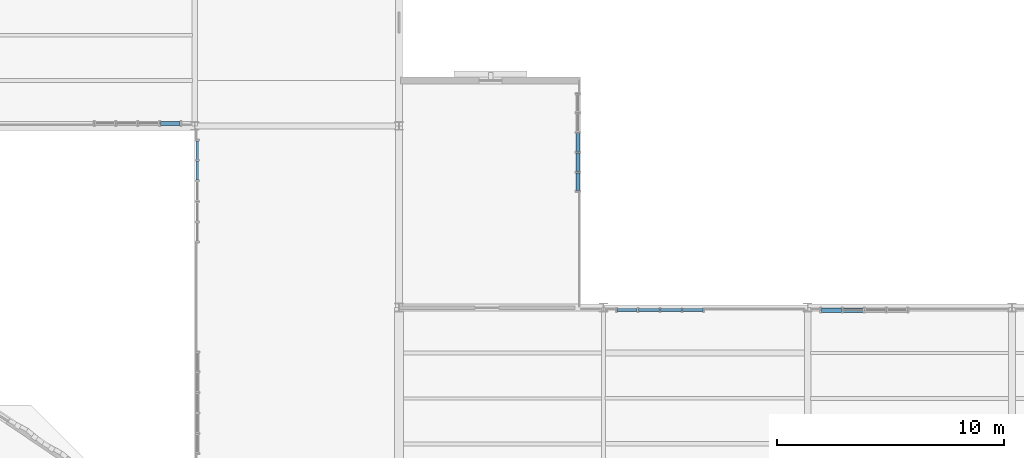
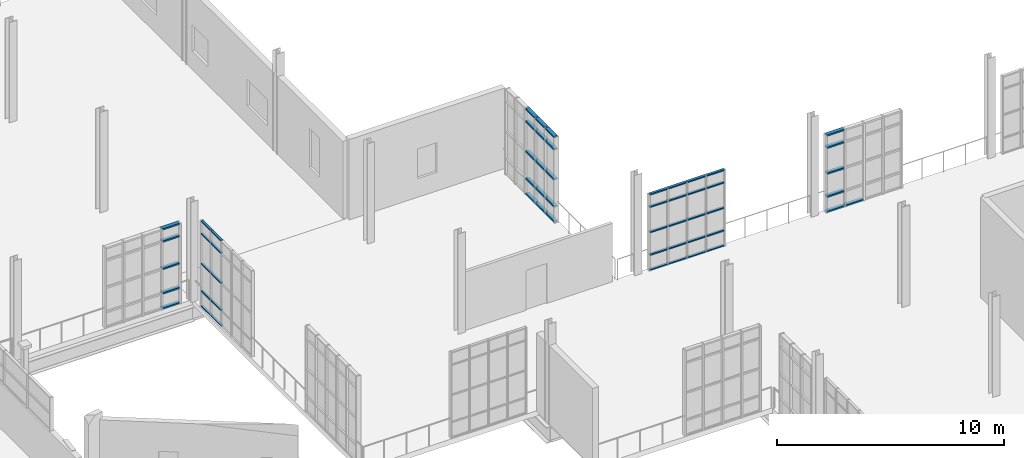
# One storey, part 93 of 142: 56 members, 5 elements without a shape of their own.
"""IFC4 building model written with IfcOpenShell, lengths in metres."""

from ifc_helpers import new_model, si_unit, direction, frame, origin, origin_2d, place, context, subcontext, project, spatial, hollow_rectangle, extrude, material, layer, layer_set, material_profile, profile_set, type_object, element, aggregate, save


model = new_model("IFC4")

# Units and contexts
model_context = context("Model", 3, precision=1e-05, world=origin(), true_north=direction((0.0, 1.0)))
body_context = subcontext(model_context, "Body", "Model", "MODEL_VIEW")
ifc_project = project(units=[si_unit("LENGTHUNIT", "METRE"), si_unit("AREAUNIT", "SQUARE_METRE"), si_unit("VOLUMEUNIT", "CUBIC_METRE"), si_unit("PLANEANGLEUNIT", "RADIAN"), si_unit("MASSUNIT", "GRAM", prefix="KILO"), si_unit("THERMODYNAMICTEMPERATUREUNIT", "KELVIN"), si_unit("POWERUNIT", "WATT")], contexts=[model_context])

# Site, building, storey
site_placement = place(None, origin())
site = spatial("IfcSite", under=ifc_project, at=site_placement, CompositionType="ELEMENT")
building_placement = place(site_placement, origin())
building = spatial("IfcBuilding", under=site, at=building_placement, Name="Zelmaris Science Centre", CompositionType="ELEMENT")
storey_placement = place(building_placement, frame((0.0, 0.0, 5.39990234375)))
storey = spatial("IfcBuildingStorey", under=building, at=storey_placement, Name="L01", CompositionType="ELEMENT", Elevation=5.39990234375)

# Curtain wall, members
ifc_material = material(Name="Anodised architectural aluminium 6063-T6", Category="aluminium")
ifc_layer_1 = layer(ifc_material, 0.219970703125, Name="Anodised architectural aluminium 6063-T6")
ifc_layer_set_1 = layer_set([ifc_layer_1], Name="Anodised architectural aluminium 6063-T6")
curtain_wall_type_1 = type_object("IfcCurtainWallType", Name="Curtain Wall CW-04", PredefinedType="USERDEFINED", material=ifc_layer_set_1)
curtain_wall_1_placement = place(storey_placement, origin())
curtain_wall_1 = element("IfcCurtainWall", 1, at=curtain_wall_1_placement, inside=storey, type_object=curtain_wall_type_1, Name="L01 Unitised curtain wall 188", ObjectType="GLAZED CURTAIN WALL", PredefinedType="USERDEFINED")
ifc_material_profile_1 = material_profile(ifc_material, hollow_rectangle(XDim=0.06005859375, YDim=0.110107421875, WallThickness=0.0029296875, at=origin_2d()), Name="ALU-TRN-60X110")
ifc_profile_set_1 = profile_set([ifc_material_profile_1], Name="Anodised architectural aluminium 6063-T6")
member_type_1 = type_object("IfcMemberType", Name="ALU-TRN-60X110", PredefinedType="USERDEFINED", material=ifc_profile_set_1)
member_1_placement = place(storey_placement, frame((99.1201171875, 61.610107421875, 0.010986328125), z_axis=(0.0, 1.0, 0.0), x_axis=(0.0, 0.0, 1.0)))
member_1 = element("IfcMember", 2, at=member_1_placement, type_object=member_type_1, Name="CW-04 transom 4.1", ObjectType="TRANSOM", PredefinedType="USERDEFINED", context=body_context, shape_type="SweptSolid", body=[
    extrude(hollow_rectangle(XDim=0.06005859375, YDim=0.110107421875, WallThickness=0.0029296875, at=origin_2d()), origin(), (0.0, 0.0, 1.0), 0.85595703125),
])
member_2_placement = place(storey_placement, frame((99.1201171875, 61.610107421875, 0.835205078125), z_axis=(0.0, 1.0, 0.0), x_axis=(0.0, 0.0, 1.0)))
member_2 = element("IfcMember", 3, at=member_2_placement, type_object=member_type_1, Name="CW-04 transom 4.2", ObjectType="TRANSOM", PredefinedType="USERDEFINED", context=body_context, shape_type="SweptSolid", body=[
    extrude(hollow_rectangle(XDim=0.06005859375, YDim=0.110107421875, WallThickness=0.0029296875, at=origin_2d()), origin(), (0.0, 0.0, 1.0), 0.85595703125),
])
member_3_placement = place(storey_placement, frame((99.1201171875, 61.610107421875, 2.302490234375), z_axis=(0.0, 1.0, 0.0), x_axis=(0.0, 0.0, 1.0)))
member_3 = element("IfcMember", 4, at=member_3_placement, type_object=member_type_1, Name="CW-04 transom 4.3", ObjectType="TRANSOM", PredefinedType="USERDEFINED", context=body_context, shape_type="SweptSolid", body=[
    extrude(hollow_rectangle(XDim=0.06005859375, YDim=0.110107421875, WallThickness=0.0029296875, at=origin_2d()), origin(), (0.0, 0.0, 1.0), 0.85595703125),
])
member_4_placement = place(storey_placement, frame((99.1201171875, 61.610107421875, 3.920166015625), z_axis=(0.0, 1.0, 0.0), x_axis=(0.0, 0.0, 1.0)))
member_4 = element("IfcMember", 5, at=member_4_placement, type_object=member_type_1, Name="CW-04 transom 4.4", ObjectType="TRANSOM", PredefinedType="USERDEFINED", context=body_context, shape_type="SweptSolid", body=[
    extrude(hollow_rectangle(XDim=0.06005859375, YDim=0.110107421875, WallThickness=0.0029296875, at=origin_2d()), origin(), (0.0, 0.0, 1.0), 0.85595703125),
])
member_5_placement = place(storey_placement, frame((99.1201171875, 61.610107421875, 4.593994140625), z_axis=(0.0, 1.0, 0.0), x_axis=(0.0, 0.0, 1.0)))
member_5 = element("IfcMember", 6, at=member_5_placement, type_object=member_type_1, Name="CW-04 transom 4.5", ObjectType="TRANSOM", PredefinedType="USERDEFINED", context=body_context, shape_type="SweptSolid", body=[
    extrude(hollow_rectangle(XDim=0.06005859375, YDim=0.110107421875, WallThickness=0.0029296875, at=origin_2d()), origin(), (0.0, 0.0, 1.0), 0.85595703125),
])
member_6_placement = place(storey_placement, frame((99.1201171875, 62.51806640625, 0.010986328125), z_axis=(0.0, 1.0, 0.0), x_axis=(0.0, 0.0, 1.0)))
member_6 = element("IfcMember", 7, at=member_6_placement, type_object=member_type_1, Name="CW-04 transom 5.1", ObjectType="TRANSOM", PredefinedType="USERDEFINED", context=body_context, shape_type="SweptSolid", body=[
    extrude(hollow_rectangle(XDim=0.06005859375, YDim=0.110107421875, WallThickness=0.0029296875, at=origin_2d()), origin(), (0.0, 0.0, 1.0), 0.829833984375),
])
member_7_placement = place(storey_placement, frame((99.1201171875, 62.51806640625, 0.835205078125), z_axis=(0.0, 1.0, 0.0), x_axis=(0.0, 0.0, 1.0)))
member_7 = element("IfcMember", 8, at=member_7_placement, type_object=member_type_1, Name="CW-04 transom 5.2", ObjectType="TRANSOM", PredefinedType="USERDEFINED", context=body_context, shape_type="SweptSolid", body=[
    extrude(hollow_rectangle(XDim=0.06005859375, YDim=0.110107421875, WallThickness=0.0029296875, at=origin_2d()), origin(), (0.0, 0.0, 1.0), 0.829833984375),
])
member_8_placement = place(storey_placement, frame((99.1201171875, 62.51806640625, 2.302490234375), z_axis=(0.0, 1.0, 0.0), x_axis=(0.0, 0.0, 1.0)))
member_8 = element("IfcMember", 9, at=member_8_placement, type_object=member_type_1, Name="CW-04 transom 5.3", ObjectType="TRANSOM", PredefinedType="USERDEFINED", context=body_context, shape_type="SweptSolid", body=[
    extrude(hollow_rectangle(XDim=0.06005859375, YDim=0.110107421875, WallThickness=0.0029296875, at=origin_2d()), origin(), (0.0, 0.0, 1.0), 0.829833984375),
])
member_9_placement = place(storey_placement, frame((99.1201171875, 62.51806640625, 3.920166015625), z_axis=(0.0, 1.0, 0.0), x_axis=(0.0, 0.0, 1.0)))
member_9 = element("IfcMember", 10, at=member_9_placement, type_object=member_type_1, Name="CW-04 transom 5.4", ObjectType="TRANSOM", PredefinedType="USERDEFINED", context=body_context, shape_type="SweptSolid", body=[
    extrude(hollow_rectangle(XDim=0.06005859375, YDim=0.110107421875, WallThickness=0.0029296875, at=origin_2d()), origin(), (0.0, 0.0, 1.0), 0.829833984375),
])
member_10_placement = place(storey_placement, frame((99.1201171875, 62.51806640625, 4.593994140625), z_axis=(0.0, 1.0, 0.0), x_axis=(0.0, 0.0, 1.0)))
member_10 = element("IfcMember", 11, at=member_10_placement, type_object=member_type_1, Name="CW-04 transom 5.5", ObjectType="TRANSOM", PredefinedType="USERDEFINED", context=body_context, shape_type="SweptSolid", body=[
    extrude(hollow_rectangle(XDim=0.06005859375, YDim=0.110107421875, WallThickness=0.0029296875, at=origin_2d()), origin(), (0.0, 0.0, 1.0), 0.829833984375),
])
aggregate(curtain_wall_1, [member_1, member_2, member_3, member_4, member_5, member_6, member_7, member_8, member_9, member_10])

ifc_layer_2 = layer(ifc_material, 0.2099609375, Name="Anodised architectural aluminium 6063-T6")
ifc_layer_set_2 = layer_set([ifc_layer_2], Name="Anodised architectural aluminium 6063-T6")
curtain_wall_type_2 = type_object("IfcCurtainWallType", Name="Curtain Wall CW-03", PredefinedType="USERDEFINED", material=ifc_layer_set_2)
curtain_wall_2_placement = place(storey_placement, origin())
curtain_wall_2 = element("IfcCurtainWall", 12, at=curtain_wall_2_placement, inside=storey, type_object=curtain_wall_type_2, Name="L01 Unitised curtain wall 143", ObjectType="GLAZED CURTAIN WALL", PredefinedType="USERDEFINED")
ifc_material_profile_2 = material_profile(ifc_material, hollow_rectangle(XDim=0.06494140625, YDim=0.1298828125, WallThickness=0.00341796875, at=origin_2d()), Name="ALU-TRN-65X130")
ifc_profile_set_2 = profile_set([ifc_material_profile_2], Name="Anodised architectural aluminium 6063-T6")
member_type_2 = type_object("IfcMemberType", Name="ALU-TRN-65X130", PredefinedType="USERDEFINED", material=ifc_profile_set_2)
member_11_placement = place(storey_placement, frame((117.596923828125, 55.892822265625, 0.013671875), z_axis=(0.999999849301, -0.000548997996, 0.0), x_axis=(0.0, 0.0, 1.0)))
member_11 = element("IfcMember", 13, at=member_11_placement, type_object=member_type_2, Name="CW-03 transom 1.1", ObjectType="TRANSOM", PredefinedType="USERDEFINED", context=body_context, shape_type="SweptSolid", body=[
    extrude(hollow_rectangle(XDim=0.06494140625, YDim=0.1298828125, WallThickness=0.00341796875, at=origin_2d()), origin(), (0.0, 0.0, 1.0), 0.889404296875),
])
member_12_placement = place(storey_placement, frame((117.596923828125, 55.892822265625, 0.835205078125), z_axis=(0.999999849301, -0.000548997996, 0.0), x_axis=(0.0, 0.0, 1.0)))
member_12 = element("IfcMember", 14, at=member_12_placement, type_object=member_type_2, Name="CW-03 transom 1.2", ObjectType="TRANSOM", PredefinedType="USERDEFINED", context=body_context, shape_type="SweptSolid", body=[
    extrude(hollow_rectangle(XDim=0.06494140625, YDim=0.1298828125, WallThickness=0.00341796875, at=origin_2d()), origin(), (0.0, 0.0, 1.0), 0.889404296875),
])
member_13_placement = place(storey_placement, frame((117.596923828125, 55.892822265625, 2.049560546875), z_axis=(0.999999849301, -0.000548997996, 0.0), x_axis=(0.0, 0.0, 1.0)))
member_13 = element("IfcMember", 15, at=member_13_placement, type_object=member_type_2, Name="CW-03 transom 1.3", ObjectType="TRANSOM", PredefinedType="USERDEFINED", context=body_context, shape_type="SweptSolid", body=[
    extrude(hollow_rectangle(XDim=0.06494140625, YDim=0.1298828125, WallThickness=0.00341796875, at=origin_2d()), origin(), (0.0, 0.0, 1.0), 0.889404296875),
])
member_14_placement = place(storey_placement, frame((117.596923828125, 55.892822265625, 3.4140625), z_axis=(0.999999849301, -0.000548997996, 0.0), x_axis=(0.0, 0.0, 1.0)))
member_14 = element("IfcMember", 16, at=member_14_placement, type_object=member_type_2, Name="CW-03 transom 1.4", ObjectType="TRANSOM", PredefinedType="USERDEFINED", context=body_context, shape_type="SweptSolid", body=[
    extrude(hollow_rectangle(XDim=0.06494140625, YDim=0.1298828125, WallThickness=0.00341796875, at=origin_2d()), origin(), (0.0, 0.0, 1.0), 0.889404296875),
])
member_15_placement = place(storey_placement, frame((117.596923828125, 55.892822265625, 4.085693359375), z_axis=(0.999999849301, -0.000548997996, 0.0), x_axis=(0.0, 0.0, 1.0)))
member_15 = element("IfcMember", 17, at=member_15_placement, type_object=member_type_2, Name="CW-03 transom 1.5", ObjectType="TRANSOM", PredefinedType="USERDEFINED", context=body_context, shape_type="SweptSolid", body=[
    extrude(hollow_rectangle(XDim=0.06494140625, YDim=0.1298828125, WallThickness=0.00341796875, at=origin_2d()), origin(), (0.0, 0.0, 1.0), 0.889404296875),
])
member_16_placement = place(storey_placement, frame((118.54345703125, 55.892333984375, 0.013671875), z_axis=(0.999999858533, -0.000531914818, 0.0), x_axis=(0.0, 0.0, 1.0)))
member_16 = element("IfcMember", 18, at=member_16_placement, type_object=member_type_2, Name="CW-03 transom 2.1", ObjectType="TRANSOM", PredefinedType="USERDEFINED", context=body_context, shape_type="SweptSolid", body=[
    extrude(hollow_rectangle(XDim=0.06494140625, YDim=0.1298828125, WallThickness=0.00341796875, at=origin_2d()), origin(), (0.0, 0.0, 1.0), 0.91796875),
])
member_17_placement = place(storey_placement, frame((118.54345703125, 55.892333984375, 0.835205078125), z_axis=(0.999999858533, -0.000531914818, 0.0), x_axis=(0.0, 0.0, 1.0)))
member_17 = element("IfcMember", 19, at=member_17_placement, type_object=member_type_2, Name="CW-03 transom 2.2", ObjectType="TRANSOM", PredefinedType="USERDEFINED", context=body_context, shape_type="SweptSolid", body=[
    extrude(hollow_rectangle(XDim=0.06494140625, YDim=0.1298828125, WallThickness=0.00341796875, at=origin_2d()), origin(), (0.0, 0.0, 1.0), 0.91796875),
])
member_18_placement = place(storey_placement, frame((118.54345703125, 55.892333984375, 2.049560546875), z_axis=(0.999999858533, -0.000531914818, 0.0), x_axis=(0.0, 0.0, 1.0)))
member_18 = element("IfcMember", 20, at=member_18_placement, type_object=member_type_2, Name="CW-03 transom 2.3", ObjectType="TRANSOM", PredefinedType="USERDEFINED", context=body_context, shape_type="SweptSolid", body=[
    extrude(hollow_rectangle(XDim=0.06494140625, YDim=0.1298828125, WallThickness=0.00341796875, at=origin_2d()), origin(), (0.0, 0.0, 1.0), 0.91796875),
])
member_19_placement = place(storey_placement, frame((118.54345703125, 55.892333984375, 3.4140625), z_axis=(0.999999858533, -0.000531914818, 0.0), x_axis=(0.0, 0.0, 1.0)))
member_19 = element("IfcMember", 21, at=member_19_placement, type_object=member_type_2, Name="CW-03 transom 2.4", ObjectType="TRANSOM", PredefinedType="USERDEFINED", context=body_context, shape_type="SweptSolid", body=[
    extrude(hollow_rectangle(XDim=0.06494140625, YDim=0.1298828125, WallThickness=0.00341796875, at=origin_2d()), origin(), (0.0, 0.0, 1.0), 0.91796875),
])
member_20_placement = place(storey_placement, frame((118.54345703125, 55.892333984375, 4.085693359375), z_axis=(0.999999858533, -0.000531914818, 0.0), x_axis=(0.0, 0.0, 1.0)))
member_20 = element("IfcMember", 22, at=member_20_placement, type_object=member_type_2, Name="CW-03 transom 2.5", ObjectType="TRANSOM", PredefinedType="USERDEFINED", context=body_context, shape_type="SweptSolid", body=[
    extrude(hollow_rectangle(XDim=0.06494140625, YDim=0.1298828125, WallThickness=0.00341796875, at=origin_2d()), origin(), (0.0, 0.0, 1.0), 0.91796875),
])
member_21_placement = place(storey_placement, frame((119.518310546875, 55.891845703125, 0.013671875), z_axis=(0.999999964633, -0.000265957437, 0.0), x_axis=(0.0, 0.0, 1.0)))
member_21 = element("IfcMember", 23, at=member_21_placement, type_object=member_type_2, Name="CW-03 transom 3.1", ObjectType="TRANSOM", PredefinedType="USERDEFINED", context=body_context, shape_type="SweptSolid", body=[
    extrude(hollow_rectangle(XDim=0.06494140625, YDim=0.1298828125, WallThickness=0.00341796875, at=origin_2d()), origin(), (0.0, 0.0, 1.0), 0.91796875),
])
member_22_placement = place(storey_placement, frame((119.518310546875, 55.891845703125, 0.835205078125), z_axis=(0.999999964633, -0.000265957437, 0.0), x_axis=(0.0, 0.0, 1.0)))
member_22 = element("IfcMember", 24, at=member_22_placement, type_object=member_type_2, Name="CW-03 transom 3.2", ObjectType="TRANSOM", PredefinedType="USERDEFINED", context=body_context, shape_type="SweptSolid", body=[
    extrude(hollow_rectangle(XDim=0.06494140625, YDim=0.1298828125, WallThickness=0.00341796875, at=origin_2d()), origin(), (0.0, 0.0, 1.0), 0.91796875),
])
member_23_placement = place(storey_placement, frame((119.518310546875, 55.891845703125, 2.049560546875), z_axis=(0.999999964633, -0.000265957437, 0.0), x_axis=(0.0, 0.0, 1.0)))
member_23 = element("IfcMember", 25, at=member_23_placement, type_object=member_type_2, Name="CW-03 transom 3.3", ObjectType="TRANSOM", PredefinedType="USERDEFINED", context=body_context, shape_type="SweptSolid", body=[
    extrude(hollow_rectangle(XDim=0.06494140625, YDim=0.1298828125, WallThickness=0.00341796875, at=origin_2d()), origin(), (0.0, 0.0, 1.0), 0.91796875),
])
member_24_placement = place(storey_placement, frame((119.518310546875, 55.891845703125, 3.4140625), z_axis=(0.999999964633, -0.000265957437, 0.0), x_axis=(0.0, 0.0, 1.0)))
member_24 = element("IfcMember", 26, at=member_24_placement, type_object=member_type_2, Name="CW-03 transom 3.4", ObjectType="TRANSOM", PredefinedType="USERDEFINED", context=body_context, shape_type="SweptSolid", body=[
    extrude(hollow_rectangle(XDim=0.06494140625, YDim=0.1298828125, WallThickness=0.00341796875, at=origin_2d()), origin(), (0.0, 0.0, 1.0), 0.91796875),
])
member_25_placement = place(storey_placement, frame((119.518310546875, 55.891845703125, 4.085693359375), z_axis=(0.999999964633, -0.000265957437, 0.0), x_axis=(0.0, 0.0, 1.0)))
member_25 = element("IfcMember", 27, at=member_25_placement, type_object=member_type_2, Name="CW-03 transom 3.5", ObjectType="TRANSOM", PredefinedType="USERDEFINED", context=body_context, shape_type="SweptSolid", body=[
    extrude(hollow_rectangle(XDim=0.06494140625, YDim=0.1298828125, WallThickness=0.00341796875, at=origin_2d()), origin(), (0.0, 0.0, 1.0), 0.91796875),
])
member_26_placement = place(storey_placement, frame((120.493408203125, 55.891357421875, 0.013671875), z_axis=(0.999999962325, -0.000274499029, 0.0), x_axis=(0.0, 0.0, 1.0)))
member_26 = element("IfcMember", 28, at=member_26_placement, type_object=member_type_2, Name="CW-03 transom 4.1", ObjectType="TRANSOM", PredefinedType="USERDEFINED", context=body_context, shape_type="SweptSolid", body=[
    extrude(hollow_rectangle(XDim=0.06494140625, YDim=0.1298828125, WallThickness=0.00341796875, at=origin_2d()), origin(), (0.0, 0.0, 1.0), 0.889404296875),
])
member_27_placement = place(storey_placement, frame((120.493408203125, 55.891357421875, 0.835205078125), z_axis=(0.999999962325, -0.000274499029, 0.0), x_axis=(0.0, 0.0, 1.0)))
member_27 = element("IfcMember", 29, at=member_27_placement, type_object=member_type_2, Name="CW-03 transom 4.2", ObjectType="TRANSOM", PredefinedType="USERDEFINED", context=body_context, shape_type="SweptSolid", body=[
    extrude(hollow_rectangle(XDim=0.06494140625, YDim=0.1298828125, WallThickness=0.00341796875, at=origin_2d()), origin(), (0.0, 0.0, 1.0), 0.889404296875),
])
member_28_placement = place(storey_placement, frame((120.493408203125, 55.891357421875, 2.049560546875), z_axis=(0.999999962325, -0.000274499029, 0.0), x_axis=(0.0, 0.0, 1.0)))
member_28 = element("IfcMember", 30, at=member_28_placement, type_object=member_type_2, Name="CW-03 transom 4.3", ObjectType="TRANSOM", PredefinedType="USERDEFINED", context=body_context, shape_type="SweptSolid", body=[
    extrude(hollow_rectangle(XDim=0.06494140625, YDim=0.1298828125, WallThickness=0.00341796875, at=origin_2d()), origin(), (0.0, 0.0, 1.0), 0.889404296875),
])
member_29_placement = place(storey_placement, frame((120.493408203125, 55.891357421875, 3.4140625), z_axis=(0.999999962325, -0.000274499029, 0.0), x_axis=(0.0, 0.0, 1.0)))
member_29 = element("IfcMember", 31, at=member_29_placement, type_object=member_type_2, Name="CW-03 transom 4.4", ObjectType="TRANSOM", PredefinedType="USERDEFINED", context=body_context, shape_type="SweptSolid", body=[
    extrude(hollow_rectangle(XDim=0.06494140625, YDim=0.1298828125, WallThickness=0.00341796875, at=origin_2d()), origin(), (0.0, 0.0, 1.0), 0.889404296875),
])
member_30_placement = place(storey_placement, frame((120.493408203125, 55.891357421875, 4.085693359375), z_axis=(0.999999962325, -0.000274499029, 0.0), x_axis=(0.0, 0.0, 1.0)))
member_30 = element("IfcMember", 32, at=member_30_placement, type_object=member_type_2, Name="CW-03 transom 4.5", ObjectType="TRANSOM", PredefinedType="USERDEFINED", context=body_context, shape_type="SweptSolid", body=[
    extrude(hollow_rectangle(XDim=0.06494140625, YDim=0.1298828125, WallThickness=0.00341796875, at=origin_2d()), origin(), (0.0, 0.0, 1.0), 0.889404296875),
])
aggregate(curtain_wall_2, [member_11, member_12, member_13, member_14, member_15, member_16, member_17, member_18, member_19, member_20, member_21, member_22, member_23, member_24, member_25, member_26, member_27, member_28, member_29, member_30])

ifc_layer_3 = layer(ifc_material, 0.18994140625, Name="Anodised architectural aluminium 6063-T6")
ifc_layer_set_3 = layer_set([ifc_layer_3], Name="Anodised architectural aluminium 6063-T6")
curtain_wall_type_3 = type_object("IfcCurtainWallType", Name="Curtain Wall CW-01", PredefinedType="USERDEFINED", material=ifc_layer_set_3)
curtain_wall_3_placement = place(storey_placement, origin())
curtain_wall_3 = element("IfcCurtainWall", 33, at=curtain_wall_3_placement, inside=storey, type_object=curtain_wall_type_3, Name="L01 Unitised curtain wall 141", ObjectType="GLAZED CURTAIN WALL", PredefinedType="USERDEFINED")
ifc_material_profile_3 = material_profile(ifc_material, hollow_rectangle(XDim=0.080078125, YDim=0.18994140625, WallThickness=0.00439453125, at=origin_2d()), Name="ALU-TRN-80X190")
ifc_profile_set_3 = profile_set([ifc_material_profile_3], Name="Anodised architectural aluminium 6063-T6")
member_type_3 = type_object("IfcMemberType", Name="ALU-TRN-80X190", PredefinedType="USERDEFINED", material=ifc_profile_set_3)
member_31_placement = place(storey_placement, frame((115.8798828125, 63.676025390625, 0.02099609375), z_axis=(0.0, -1.0, 0.0), x_axis=(0.0, 0.0, 1.0)))
member_31 = element("IfcMember", 34, at=member_31_placement, type_object=member_type_3, Name="CW-01 transom 3.1", ObjectType="TRANSOM", PredefinedType="USERDEFINED", context=body_context, shape_type="SweptSolid", body=[
    extrude(hollow_rectangle(XDim=0.080078125, YDim=0.18994140625, WallThickness=0.00439453125, at=origin_2d()), origin(), (0.0, 0.0, 1.0), 0.802001953125),
])
member_32_placement = place(storey_placement, frame((115.8798828125, 63.676025390625, 0.835205078125), z_axis=(0.0, -1.0, 0.0), x_axis=(0.0, 0.0, 1.0)))
member_32 = element("IfcMember", 35, at=member_32_placement, type_object=member_type_3, Name="CW-01 transom 3.2", ObjectType="TRANSOM", PredefinedType="USERDEFINED", context=body_context, shape_type="SweptSolid", body=[
    extrude(hollow_rectangle(XDim=0.080078125, YDim=0.18994140625, WallThickness=0.00439453125, at=origin_2d()), origin(), (0.0, 0.0, 1.0), 0.802001953125),
])
member_33_placement = place(storey_placement, frame((115.8798828125, 63.676025390625, 2.302490234375), z_axis=(0.0, -1.0, 0.0), x_axis=(0.0, 0.0, 1.0)))
member_33 = element("IfcMember", 36, at=member_33_placement, type_object=member_type_3, Name="CW-01 transom 3.3", ObjectType="TRANSOM", PredefinedType="USERDEFINED", context=body_context, shape_type="SweptSolid", body=[
    extrude(hollow_rectangle(XDim=0.080078125, YDim=0.18994140625, WallThickness=0.00439453125, at=origin_2d()), origin(), (0.0, 0.0, 1.0), 0.802001953125),
])
member_34_placement = place(storey_placement, frame((115.8798828125, 63.676025390625, 3.920166015625), z_axis=(0.0, -1.0, 0.0), x_axis=(0.0, 0.0, 1.0)))
member_34 = element("IfcMember", 37, at=member_34_placement, type_object=member_type_3, Name="CW-01 transom 3.4", ObjectType="TRANSOM", PredefinedType="USERDEFINED", context=body_context, shape_type="SweptSolid", body=[
    extrude(hollow_rectangle(XDim=0.080078125, YDim=0.18994140625, WallThickness=0.00439453125, at=origin_2d()), origin(), (0.0, 0.0, 1.0), 0.802001953125),
])
member_35_placement = place(storey_placement, frame((115.8798828125, 63.676025390625, 4.583984375), z_axis=(0.0, -1.0, 0.0), x_axis=(0.0, 0.0, 1.0)))
member_35 = element("IfcMember", 38, at=member_35_placement, type_object=member_type_3, Name="CW-01 transom 3.5", ObjectType="TRANSOM", PredefinedType="USERDEFINED", context=body_context, shape_type="SweptSolid", body=[
    extrude(hollow_rectangle(XDim=0.080078125, YDim=0.18994140625, WallThickness=0.00439453125, at=origin_2d()), origin(), (0.0, 0.0, 1.0), 0.802001953125),
])
member_36_placement = place(storey_placement, frame((115.8798828125, 62.802001953125, 0.02099609375), z_axis=(0.0, -1.0, 0.0), x_axis=(0.0, 0.0, 1.0)))
member_36 = element("IfcMember", 39, at=member_36_placement, type_object=member_type_3, Name="CW-01 transom 4.1", ObjectType="TRANSOM", PredefinedType="USERDEFINED", context=body_context, shape_type="SweptSolid", body=[
    extrude(hollow_rectangle(XDim=0.080078125, YDim=0.18994140625, WallThickness=0.00439453125, at=origin_2d()), origin(), (0.0, 0.0, 1.0), 0.802001953125),
])
member_37_placement = place(storey_placement, frame((115.8798828125, 62.802001953125, 0.835205078125), z_axis=(0.0, -1.0, 0.0), x_axis=(0.0, 0.0, 1.0)))
member_37 = element("IfcMember", 40, at=member_37_placement, type_object=member_type_3, Name="CW-01 transom 4.2", ObjectType="TRANSOM", PredefinedType="USERDEFINED", context=body_context, shape_type="SweptSolid", body=[
    extrude(hollow_rectangle(XDim=0.080078125, YDim=0.18994140625, WallThickness=0.00439453125, at=origin_2d()), origin(), (0.0, 0.0, 1.0), 0.802001953125),
])
member_38_placement = place(storey_placement, frame((115.8798828125, 62.802001953125, 2.302490234375), z_axis=(0.0, -1.0, 0.0), x_axis=(0.0, 0.0, 1.0)))
member_38 = element("IfcMember", 41, at=member_38_placement, type_object=member_type_3, Name="CW-01 transom 4.3", ObjectType="TRANSOM", PredefinedType="USERDEFINED", context=body_context, shape_type="SweptSolid", body=[
    extrude(hollow_rectangle(XDim=0.080078125, YDim=0.18994140625, WallThickness=0.00439453125, at=origin_2d()), origin(), (0.0, 0.0, 1.0), 0.802001953125),
])
member_39_placement = place(storey_placement, frame((115.8798828125, 62.802001953125, 3.920166015625), z_axis=(0.0, -1.0, 0.0), x_axis=(0.0, 0.0, 1.0)))
member_39 = element("IfcMember", 42, at=member_39_placement, type_object=member_type_3, Name="CW-01 transom 4.4", ObjectType="TRANSOM", PredefinedType="USERDEFINED", context=body_context, shape_type="SweptSolid", body=[
    extrude(hollow_rectangle(XDim=0.080078125, YDim=0.18994140625, WallThickness=0.00439453125, at=origin_2d()), origin(), (0.0, 0.0, 1.0), 0.802001953125),
])
member_40_placement = place(storey_placement, frame((115.8798828125, 62.802001953125, 4.583984375), z_axis=(0.0, -1.0, 0.0), x_axis=(0.0, 0.0, 1.0)))
member_40 = element("IfcMember", 43, at=member_40_placement, type_object=member_type_3, Name="CW-01 transom 4.5", ObjectType="TRANSOM", PredefinedType="USERDEFINED", context=body_context, shape_type="SweptSolid", body=[
    extrude(hollow_rectangle(XDim=0.080078125, YDim=0.18994140625, WallThickness=0.00439453125, at=origin_2d()), origin(), (0.0, 0.0, 1.0), 0.802001953125),
])
member_41_placement = place(storey_placement, frame((115.8798828125, 61.927978515625, 0.02099609375), z_axis=(0.0, -1.0, 0.0), x_axis=(0.0, 0.0, 1.0)))
member_41 = element("IfcMember", 44, at=member_41_placement, type_object=member_type_3, Name="CW-01 transom 5.1", ObjectType="TRANSOM", PredefinedType="USERDEFINED", context=body_context, shape_type="SweptSolid", body=[
    extrude(hollow_rectangle(XDim=0.080078125, YDim=0.18994140625, WallThickness=0.00439453125, at=origin_2d()), origin(), (0.0, 0.0, 1.0), 0.765869140625),
])
member_42_placement = place(storey_placement, frame((115.8798828125, 61.927978515625, 0.835205078125), z_axis=(0.0, -1.0, 0.0), x_axis=(0.0, 0.0, 1.0)))
member_42 = element("IfcMember", 45, at=member_42_placement, type_object=member_type_3, Name="CW-01 transom 5.2", ObjectType="TRANSOM", PredefinedType="USERDEFINED", context=body_context, shape_type="SweptSolid", body=[
    extrude(hollow_rectangle(XDim=0.080078125, YDim=0.18994140625, WallThickness=0.00439453125, at=origin_2d()), origin(), (0.0, 0.0, 1.0), 0.765869140625),
])
member_43_placement = place(storey_placement, frame((115.8798828125, 61.927978515625, 2.302490234375), z_axis=(0.0, -1.0, 0.0), x_axis=(0.0, 0.0, 1.0)))
member_43 = element("IfcMember", 46, at=member_43_placement, type_object=member_type_3, Name="CW-01 transom 5.3", ObjectType="TRANSOM", PredefinedType="USERDEFINED", context=body_context, shape_type="SweptSolid", body=[
    extrude(hollow_rectangle(XDim=0.080078125, YDim=0.18994140625, WallThickness=0.00439453125, at=origin_2d()), origin(), (0.0, 0.0, 1.0), 0.765869140625),
])
member_44_placement = place(storey_placement, frame((115.8798828125, 61.927978515625, 3.920166015625), z_axis=(0.0, -1.0, 0.0), x_axis=(0.0, 0.0, 1.0)))
member_44 = element("IfcMember", 47, at=member_44_placement, type_object=member_type_3, Name="CW-01 transom 5.4", ObjectType="TRANSOM", PredefinedType="USERDEFINED", context=body_context, shape_type="SweptSolid", body=[
    extrude(hollow_rectangle(XDim=0.080078125, YDim=0.18994140625, WallThickness=0.00439453125, at=origin_2d()), origin(), (0.0, 0.0, 1.0), 0.765869140625),
])
member_45_placement = place(storey_placement, frame((115.8798828125, 61.927978515625, 4.583984375), z_axis=(0.0, -1.0, 0.0), x_axis=(0.0, 0.0, 1.0)))
member_45 = element("IfcMember", 48, at=member_45_placement, type_object=member_type_3, Name="CW-01 transom 5.5", ObjectType="TRANSOM", PredefinedType="USERDEFINED", context=body_context, shape_type="SweptSolid", body=[
    extrude(hollow_rectangle(XDim=0.080078125, YDim=0.18994140625, WallThickness=0.00439453125, at=origin_2d()), origin(), (0.0, 0.0, 1.0), 0.765869140625),
])
aggregate(curtain_wall_3, [member_31, member_32, member_33, member_34, member_35, member_36, member_37, member_38, member_39, member_40, member_41, member_42, member_43, member_44, member_45])

curtain_wall_4_placement = place(storey_placement, origin())
curtain_wall_4 = element("IfcCurtainWall", 49, at=curtain_wall_4_placement, inside=storey, type_object=curtain_wall_type_3, Name="L01 Unitised curtain wall 145", ObjectType="GLAZED CURTAIN WALL", PredefinedType="USERDEFINED")
member_46_placement = place(storey_placement, frame((126.61181640625, 55.888427734375, 0.02099609375), z_axis=(0.99999984148, -0.000563062974, 0.0), x_axis=(0.0, 0.0, 1.0)))
member_46 = element("IfcMember", 50, at=member_46_placement, type_object=member_type_3, Name="CW-01 transom 1.1", ObjectType="TRANSOM", PredefinedType="USERDEFINED", context=body_context, shape_type="SweptSolid", body=[
    extrude(hollow_rectangle(XDim=0.080078125, YDim=0.18994140625, WallThickness=0.00439453125, at=origin_2d()), origin(), (0.0, 0.0, 1.0), 0.8671875),
])
member_47_placement = place(storey_placement, frame((126.61181640625, 55.888427734375, 0.835205078125), z_axis=(0.99999984148, -0.000563062974, 0.0), x_axis=(0.0, 0.0, 1.0)))
member_47 = element("IfcMember", 51, at=member_47_placement, type_object=member_type_3, Name="CW-01 transom 1.2", ObjectType="TRANSOM", PredefinedType="USERDEFINED", context=body_context, shape_type="SweptSolid", body=[
    extrude(hollow_rectangle(XDim=0.080078125, YDim=0.18994140625, WallThickness=0.00439453125, at=origin_2d()), origin(), (0.0, 0.0, 1.0), 0.8671875),
])
member_48_placement = place(storey_placement, frame((126.61181640625, 55.888427734375, 2.0791015625), z_axis=(0.99999984148, -0.000563062974, 0.0), x_axis=(0.0, 0.0, 1.0)))
member_48 = element("IfcMember", 52, at=member_48_placement, type_object=member_type_3, Name="CW-01 transom 1.3", ObjectType="TRANSOM", PredefinedType="USERDEFINED", context=body_context, shape_type="SweptSolid", body=[
    extrude(hollow_rectangle(XDim=0.080078125, YDim=0.18994140625, WallThickness=0.00439453125, at=origin_2d()), origin(), (0.0, 0.0, 1.0), 0.8671875),
])
member_49_placement = place(storey_placement, frame((126.61181640625, 55.888427734375, 3.47314453125), z_axis=(0.99999984148, -0.000563062974, 0.0), x_axis=(0.0, 0.0, 1.0)))
member_49 = element("IfcMember", 53, at=member_49_placement, type_object=member_type_3, Name="CW-01 transom 1.4", ObjectType="TRANSOM", PredefinedType="USERDEFINED", context=body_context, shape_type="SweptSolid", body=[
    extrude(hollow_rectangle(XDim=0.080078125, YDim=0.18994140625, WallThickness=0.00439453125, at=origin_2d()), origin(), (0.0, 0.0, 1.0), 0.8671875),
])
member_50_placement = place(storey_placement, frame((126.61181640625, 55.888427734375, 4.13720703125), z_axis=(0.99999984148, -0.000563062974, 0.0), x_axis=(0.0, 0.0, 1.0)))
member_50 = element("IfcMember", 54, at=member_50_placement, type_object=member_type_3, Name="CW-01 transom 1.5", ObjectType="TRANSOM", PredefinedType="USERDEFINED", context=body_context, shape_type="SweptSolid", body=[
    extrude(hollow_rectangle(XDim=0.080078125, YDim=0.18994140625, WallThickness=0.00439453125, at=origin_2d()), origin(), (0.0, 0.0, 1.0), 0.8671875),
])
member_51_placement = place(storey_placement, frame((127.55078125, 55.887939453125, 0.02099609375), z_axis=(0.999999853829, -0.000540686593, 0.0), x_axis=(0.0, 0.0, 1.0)))
member_51 = element("IfcMember", 55, at=member_51_placement, type_object=member_type_3, Name="CW-01 transom 2.1", ObjectType="TRANSOM", PredefinedType="USERDEFINED", context=body_context, shape_type="SweptSolid", body=[
    extrude(hollow_rectangle(XDim=0.080078125, YDim=0.18994140625, WallThickness=0.00439453125, at=origin_2d()), origin(), (0.0, 0.0, 1.0), 0.903076171875),
])
aggregate(curtain_wall_4, [member_46, member_47, member_48, member_49, member_50, member_51])

curtain_wall_5_placement = place(storey_placement, origin())
curtain_wall_5 = element("IfcCurtainWall", 56, at=curtain_wall_5_placement, inside=storey, type_object=curtain_wall_type_3, Name="L01 Unitised curtain wall 189", ObjectType="GLAZED CURTAIN WALL", PredefinedType="USERDEFINED")
member_52_placement = place(storey_placement, frame((98.361083984375, 64.109619140625, 0.02099609375), z_axis=(-0.999999640299, -0.000848176116, 0.0), x_axis=(0.0, 0.0, 1.0)))
member_52 = element("IfcMember", 57, at=member_52_placement, type_object=member_type_3, Name="CW-01 transom 1.1", ObjectType="TRANSOM", PredefinedType="USERDEFINED", context=body_context, shape_type="SweptSolid", body=[
    extrude(hollow_rectangle(XDim=0.080078125, YDim=0.18994140625, WallThickness=0.00439453125, at=origin_2d()), origin(), (0.0, 0.0, 1.0), 0.863525390625),
])
member_53_placement = place(storey_placement, frame((98.361083984375, 64.109619140625, 0.835205078125), z_axis=(-0.999999640299, -0.000848176116, 0.0), x_axis=(0.0, 0.0, 1.0)))
member_53 = element("IfcMember", 58, at=member_53_placement, type_object=member_type_3, Name="CW-01 transom 1.2", ObjectType="TRANSOM", PredefinedType="USERDEFINED", context=body_context, shape_type="SweptSolid", body=[
    extrude(hollow_rectangle(XDim=0.080078125, YDim=0.18994140625, WallThickness=0.00439453125, at=origin_2d()), origin(), (0.0, 0.0, 1.0), 0.863525390625),
])
member_54_placement = place(storey_placement, frame((98.361083984375, 64.109619140625, 2.155029296875), z_axis=(-0.999999640299, -0.000848176116, 0.0), x_axis=(0.0, 0.0, 1.0)))
member_54 = element("IfcMember", 59, at=member_54_placement, type_object=member_type_3, Name="CW-01 transom 1.3", ObjectType="TRANSOM", PredefinedType="USERDEFINED", context=body_context, shape_type="SweptSolid", body=[
    extrude(hollow_rectangle(XDim=0.080078125, YDim=0.18994140625, WallThickness=0.00439453125, at=origin_2d()), origin(), (0.0, 0.0, 1.0), 0.863525390625),
])
member_55_placement = place(storey_placement, frame((98.361083984375, 64.109619140625, 3.625), z_axis=(-0.999999640299, -0.000848176116, 0.0), x_axis=(0.0, 0.0, 1.0)))
member_55 = element("IfcMember", 60, at=member_55_placement, type_object=member_type_3, Name="CW-01 transom 1.4", ObjectType="TRANSOM", PredefinedType="USERDEFINED", context=body_context, shape_type="SweptSolid", body=[
    extrude(hollow_rectangle(XDim=0.080078125, YDim=0.18994140625, WallThickness=0.00439453125, at=origin_2d()), origin(), (0.0, 0.0, 1.0), 0.863525390625),
])
member_56_placement = place(storey_placement, frame((98.361083984375, 64.109619140625, 4.2890625), z_axis=(-0.999999640299, -0.000848176116, 0.0), x_axis=(0.0, 0.0, 1.0)))
member_56 = element("IfcMember", 61, at=member_56_placement, type_object=member_type_3, Name="CW-01 transom 1.5", ObjectType="TRANSOM", PredefinedType="USERDEFINED", context=body_context, shape_type="SweptSolid", body=[
    extrude(hollow_rectangle(XDim=0.080078125, YDim=0.18994140625, WallThickness=0.00439453125, at=origin_2d()), origin(), (0.0, 0.0, 1.0), 0.863525390625),
])
aggregate(curtain_wall_5, [member_52, member_53, member_54, member_55, member_56])

save(model, "model.ifc")
